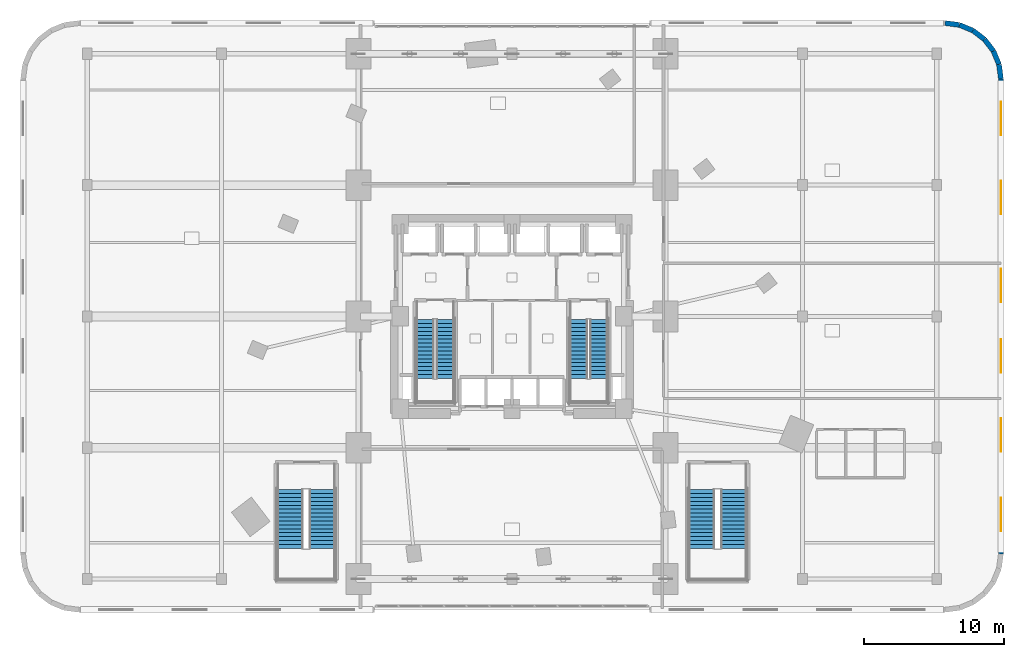
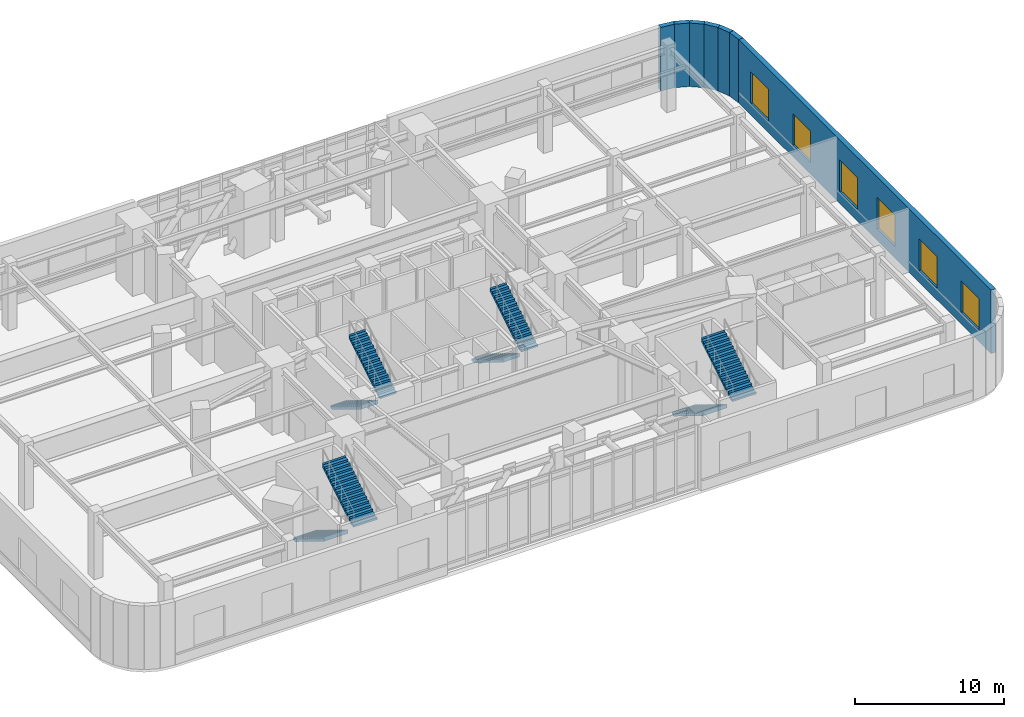
# One storey, part 16 of 19: 8 stair flights, 7 walls, 6 windows, 6 openings, 4 elements without a shape of their own.
"""IFC4 building model written with IfcOpenShell, lengths in metres."""

from ifc_helpers import new_model, si_unit, direction, frame, frame_2d, origin, place, context, subcontext, project, spatial, polyline, rectangle, outline, extrude, material, layer, layer_set, type_object, element, fill, aggregate, save


model = new_model("IFC4")

# Units and contexts
model_context = context("Model", 3, precision=1e-05, world=origin(), true_north=direction((0.0, 1.0)))
body_context = subcontext(model_context, "Body", "Model", "MODEL_VIEW")
ifc_project = project(units=[si_unit("LENGTHUNIT", "METRE"), si_unit("AREAUNIT", "SQUARE_METRE"), si_unit("VOLUMEUNIT", "CUBIC_METRE"), si_unit("PLANEANGLEUNIT", "RADIAN"), si_unit("MASSUNIT", "GRAM", prefix="KILO")], contexts=[model_context])

# Site, building, storey
site_placement = place(None, origin())
site = spatial("IfcSite", under=ifc_project, at=site_placement, CompositionType="ELEMENT")
building_placement = place(site_placement, origin())
building = spatial("IfcBuilding", under=site, at=building_placement, Name="Ndelora Gate Hotel", CompositionType="ELEMENT")
storey_placement = place(building_placement, frame((0.0, 0.0, 16.0)))
storey = spatial("IfcBuildingStorey", under=building, at=storey_placement, Name="L03", CompositionType="ELEMENT", Elevation=16.0)

# Wall, openings, windows
ifc_material_1 = material(Name="Clay Brick Masonry", Category="masonry")
ifc_layer = layer(ifc_material_1, 0.360107421875)
ifc_layer_set = layer_set([ifc_layer], Name="Clay Brick Masonry")
wall_type = type_object("IfcWallType", Name="WL-BRICK-360", PredefinedType="SOLIDWALL", material=ifc_layer_set)
wall_1_placement = place(storey_placement, frame((35.0, 17.0, 0.0), z_axis=(0.0, 0.0, 1.0), x_axis=(0.0, -1.0, 0.0)))
wall_1 = element("IfcWall", 1, at=wall_1_placement, inside=storey, type_object=wall_type, Name="L03 Exterior Brick Pier-and-Spandrel Wall 7", PredefinedType="SOLIDWALL", context=body_context, shape_type="SweptSolid", body=[
    extrude(rectangle(XDim=34.0, YDim=0.360107421875, at=frame_2d((17.0, 0.0))), origin(), (0.0, 0.0, 1.0), 5.219970703125),
])
opening_1_placement = place(wall_1_placement, frame((1.63330078125, 0.0, 0.949951171875)))
opening_1 = element("IfcOpeningElement", 2, at=opening_1_placement, cuts=wall_1, Name="Opening W04", PredefinedType="OPENING", context=body_context, shape_type="SweptSolid", body=[
    extrude(rectangle(XDim=2.39990234375, YDim=2.60009765625, at=frame_2d((1.199951171875, 1.300048828125))), frame((0.0, 0.18994140625, 0.0), z_axis=(0.0, -1.0, 0.0), x_axis=(1.0, 0.0, 0.0)), (0.0, 0.0, 1.0), 0.380126953125),
])
opening_2_placement = place(wall_1_placement, frame((7.300048828125, 0.0, 0.949951171875)))
opening_2 = element("IfcOpeningElement", 3, at=opening_2_placement, cuts=wall_1, Name="Opening W04", PredefinedType="OPENING", context=body_context, shape_type="SweptSolid", body=[
    extrude(rectangle(XDim=2.39990234375, YDim=2.60009765625, at=frame_2d((1.199951171875, 1.300048828125))), frame((0.0, 0.18994140625, 0.0), z_axis=(0.0, -1.0, 0.0), x_axis=(1.0, 0.0, 0.0)), (0.0, 0.0, 1.0), 0.380126953125),
])
opening_3_placement = place(wall_1_placement, frame((13.60009765625, 0.0, 0.949951171875)))
opening_3 = element("IfcOpeningElement", 4, at=opening_3_placement, cuts=wall_1, Name="Opening W04", PredefinedType="OPENING", context=body_context, shape_type="SweptSolid", body=[
    extrude(rectangle(XDim=2.39990234375, YDim=2.60009765625, at=frame_2d((1.199951171875, 1.300048828125))), frame((0.0, 0.18994140625, 0.0), z_axis=(0.0, -1.0, 0.0), x_axis=(1.0, 0.0, 0.0)), (0.0, 0.0, 1.0), 0.380126953125),
])
opening_4_placement = place(wall_1_placement, frame((18.63330078125, 0.0, 0.949951171875)))
opening_4 = element("IfcOpeningElement", 5, at=opening_4_placement, cuts=wall_1, Name="Opening W04", PredefinedType="OPENING", context=body_context, shape_type="SweptSolid", body=[
    extrude(rectangle(XDim=2.39990234375, YDim=2.60009765625, at=frame_2d((1.199951171875, 1.300048828125))), frame((0.0, 0.18994140625, 0.0), z_axis=(0.0, -1.0, 0.0), x_axis=(1.0, 0.0, 0.0)), (0.0, 0.0, 1.0), 0.380126953125),
])
opening_5_placement = place(wall_1_placement, frame((24.300048828125, 0.0, 0.949951171875)))
opening_5 = element("IfcOpeningElement", 6, at=opening_5_placement, cuts=wall_1, Name="Opening W04", PredefinedType="OPENING", context=body_context, shape_type="SweptSolid", body=[
    extrude(rectangle(XDim=2.39990234375, YDim=2.60009765625, at=frame_2d((1.199951171875, 1.300048828125))), frame((0.0, 0.18994140625, 0.0), z_axis=(0.0, -1.0, 0.0), x_axis=(1.0, 0.0, 0.0)), (0.0, 0.0, 1.0), 0.380126953125),
])
opening_6_placement = place(wall_1_placement, frame((29.966796875, 0.0, 0.949951171875)))
opening_6 = element("IfcOpeningElement", 7, at=opening_6_placement, cuts=wall_1, Name="Opening W04", PredefinedType="OPENING", context=body_context, shape_type="SweptSolid", body=[
    extrude(rectangle(XDim=2.39990234375, YDim=2.60009765625, at=frame_2d((1.199951171875, 1.300048828125))), frame((0.0, 0.18994140625, 0.0), z_axis=(0.0, -1.0, 0.0), x_axis=(1.0, 0.0, 0.0)), (0.0, 0.0, 1.0), 0.380126953125),
])
ifc_material_2 = material(Name="Insulated Low-E Double Glazing in Bronze Aluminium Frame", Category="aluminium")
window_type = type_object("IfcWindowType", Name="WN-POD-2400", PartitioningType="SINGLE_PANEL", PredefinedType="WINDOW", material=ifc_material_2)
window_1_placement = place(opening_1_placement, origin())
window_1 = element("IfcWindow", 8, at=window_1_placement, inside=storey, type_object=window_type, Name="L03 Deep-Set Podium Brick-Frame Window W04", OverallHeight=2.60009765625, OverallWidth=2.39990234375, PartitioningType="SINGLE_PANEL", PredefinedType="WINDOW", context=body_context, shape_type="SweptSolid", body=[
    extrude(rectangle(XDim=2.39990234375, YDim=2.60009765625, at=frame_2d((1.199951171875, 1.300048828125))), frame((0.0, 0.030029296875, 0.0), z_axis=(0.0, -1.0, 0.0), x_axis=(1.0, 0.0, 0.0)), (0.0, 0.0, 1.0), 0.06005859375),
])
fill(opening_1, window_1)
window_2_placement = place(opening_2_placement, origin())
window_2 = element("IfcWindow", 9, at=window_2_placement, inside=storey, type_object=window_type, Name="L03 Deep-Set Podium Brick-Frame Window W04", OverallHeight=2.60009765625, OverallWidth=2.39990234375, PartitioningType="SINGLE_PANEL", PredefinedType="WINDOW", context=body_context, shape_type="SweptSolid", body=[
    extrude(rectangle(XDim=2.39990234375, YDim=2.60009765625, at=frame_2d((1.199951171875, 1.300048828125))), frame((0.0, 0.030029296875, 0.0), z_axis=(0.0, -1.0, 0.0), x_axis=(1.0, 0.0, 0.0)), (0.0, 0.0, 1.0), 0.06005859375),
])
fill(opening_2, window_2)
window_3_placement = place(opening_3_placement, origin())
window_3 = element("IfcWindow", 10, at=window_3_placement, inside=storey, type_object=window_type, Name="L03 Deep-Set Podium Brick-Frame Window W04", OverallHeight=2.60009765625, OverallWidth=2.39990234375, PartitioningType="SINGLE_PANEL", PredefinedType="WINDOW", context=body_context, shape_type="SweptSolid", body=[
    extrude(rectangle(XDim=2.39990234375, YDim=2.60009765625, at=frame_2d((1.199951171875, 1.300048828125))), frame((0.0, 0.030029296875, 0.0), z_axis=(0.0, -1.0, 0.0), x_axis=(1.0, 0.0, 0.0)), (0.0, 0.0, 1.0), 0.06005859375),
])
fill(opening_3, window_3)
window_4_placement = place(opening_4_placement, origin())
window_4 = element("IfcWindow", 11, at=window_4_placement, inside=storey, type_object=window_type, Name="L03 Deep-Set Podium Brick-Frame Window W04", OverallHeight=2.60009765625, OverallWidth=2.39990234375, PartitioningType="SINGLE_PANEL", PredefinedType="WINDOW", context=body_context, shape_type="SweptSolid", body=[
    extrude(rectangle(XDim=2.39990234375, YDim=2.60009765625, at=frame_2d((1.199951171875, 1.300048828125))), frame((0.0, 0.030029296875, 0.0), z_axis=(0.0, -1.0, 0.0), x_axis=(1.0, 0.0, 0.0)), (0.0, 0.0, 1.0), 0.06005859375),
])
fill(opening_4, window_4)
window_5_placement = place(opening_5_placement, origin())
window_5 = element("IfcWindow", 12, at=window_5_placement, inside=storey, type_object=window_type, Name="L03 Deep-Set Podium Brick-Frame Window W04", OverallHeight=2.60009765625, OverallWidth=2.39990234375, PartitioningType="SINGLE_PANEL", PredefinedType="WINDOW", context=body_context, shape_type="SweptSolid", body=[
    extrude(rectangle(XDim=2.39990234375, YDim=2.60009765625, at=frame_2d((1.199951171875, 1.300048828125))), frame((0.0, 0.030029296875, 0.0), z_axis=(0.0, -1.0, 0.0), x_axis=(1.0, 0.0, 0.0)), (0.0, 0.0, 1.0), 0.06005859375),
])
fill(opening_5, window_5)
window_6_placement = place(opening_6_placement, origin())
window_6 = element("IfcWindow", 13, at=window_6_placement, inside=storey, type_object=window_type, Name="L03 Deep-Set Podium Brick-Frame Window W04", OverallHeight=2.60009765625, OverallWidth=2.39990234375, PartitioningType="SINGLE_PANEL", PredefinedType="WINDOW", context=body_context, shape_type="SweptSolid", body=[
    extrude(rectangle(XDim=2.39990234375, YDim=2.60009765625, at=frame_2d((1.199951171875, 1.300048828125))), frame((0.0, 0.030029296875, 0.0), z_axis=(0.0, -1.0, 0.0), x_axis=(1.0, 0.0, 0.0)), (0.0, 0.0, 1.0), 0.06005859375),
])
fill(opening_6, window_6)

# Walls
wall_2_placement = place(storey_placement, frame((34.86376953125, 18.035400390625, 0.0), z_axis=(0.0, 0.0, 1.0), x_axis=(0.130448465198, -0.991455091231, 0.0)))
element("IfcWall", 14, at=wall_2_placement, inside=storey, type_object=wall_type, Name="L03 Exterior Brick Pier-and-Spandrel Wall 8", PredefinedType="SOLIDWALL", context=body_context, shape_type="SweptSolid", body=[
    extrude(rectangle(XDim=1.04443359375, YDim=0.360107421875, at=frame_2d((0.522216796875, 0.0))), origin(), (0.0, 0.0, 1.0), 5.219970703125),
])
for number, where, z_axis, x_axis, name in (
    (15, (34.464111328125, 19.0, 0.0), (0.0, 0.0, 1.0), (0.382771688877, -0.923842970528, 0.0), "L03 Exterior Brick Pier-and-Spandrel Wall 9"),
    (16, (33.828369140625, 19.828369140625, 0.0), (0.0, 0.0, 1.0), (0.608829050876, -0.793301447628, 0.0), "L03 Exterior Brick Pier-and-Spandrel Wall 10"),
    (17, (33.0, 20.464111328125, 0.0), (0.0, 0.0, 1.0), (0.793301447628, -0.608829050876, 0.0), "L03 Exterior Brick Pier-and-Spandrel Wall 11"),
    (18, (32.035400390625, 20.86376953125, 0.0), (0.0, 0.0, 1.0), (0.923842970528, -0.382771688877, 0.0), "L03 Exterior Brick Pier-and-Spandrel Wall 12"),
):
    element("IfcWall", number, at=place(storey_placement, frame(where, z_axis=z_axis, x_axis=x_axis)), inside=storey, type_object=wall_type, Name=name, PredefinedType="SOLIDWALL", context=body_context, shape_type="SweptSolid", body=[
        extrude(rectangle(XDim=1.044189453125, YDim=0.360107421875, at=frame_2d((0.52197265625, 0.0))), origin(), (0.0, 0.0, 1.0), 5.219970703125),
    ])
wall_3_placement = place(storey_placement, frame((31.0, 21.0, 0.0), z_axis=(0.0, 0.0, 1.0), x_axis=(0.991455091231, -0.130448465198, 0.0)))
element("IfcWall", 19, at=wall_3_placement, inside=storey, type_object=wall_type, Name="L03 Exterior Brick Pier-and-Spandrel Wall 13", PredefinedType="SOLIDWALL", context=body_context, shape_type="SweptSolid", body=[
    extrude(rectangle(XDim=1.04443359375, YDim=0.360107421875, at=frame_2d((0.522216796875, 0.0))), origin(), (0.0, 0.0, 1.0), 5.219970703125),
])

# Stair, stair flights
ifc_material_3 = material(Name="Precast concrete C40/50", Category="concrete")
stair_type_1 = type_object("IfcStairType", Name="STR-DOG-CORE", PredefinedType="HALF_TURN_STAIR", material=ifc_material_3)
stair_1_placement = place(storey_placement, origin())
stair_1 = element("IfcStair", 20, at=stair_1_placement, inside=storey, type_object=stair_type_1, Name="L03 Protected Core Exit Stair ST4", PredefinedType="HALF_TURN_STAIR")
stair_flight_type_1 = type_object("IfcStairFlightType", Name="STF-PRECAST", PredefinedType="STRAIGHT", material=ifc_material_3)
stair_flight_1_placement = place(storey_placement, frame((-6.2099609375, -0.22998046875, 0.0), z_axis=(0.0, 0.0, 1.0), x_axis=(0.0, -1.0, 0.0)))
stair_flight_1 = element("IfcStairFlight", 21, at=stair_flight_1_placement, type_object=stair_flight_type_1, Name="ST4 flight 1", NumberOfRisers=16, NumberOfTreads=15, PredefinedType="STRAIGHT", RiserHeight=0.171875, TreadLength=0.28, context=body_context, shape_type="SweptSolid", body=[
    extrude(outline(polyline([(-0.00048828125, 0.0), (-0.00048828125, 0.171875), (0.0, 0.171875), (0.280029296875, 0.171875), (0.280029296875, 0.34375), (0.56005859375, 0.34375), (0.56005859375, 0.515625), (0.840087890625, 0.515625), (0.840087890625, 0.6875), (1.1201171875, 0.6875), (1.1201171875, 0.859375), (1.39990234375, 0.859375), (1.39990234375, 1.03125), (1.679931640625, 1.03125), (1.679931640625, 1.203125), (1.9599609375, 1.203125), (1.9599609375, 1.375), (2.239990234375, 1.375), (2.239990234375, 1.546875), (2.52001953125, 1.546875), (2.52001953125, 1.71875), (2.800048828125, 1.71875), (2.800048828125, 1.890625), (3.080078125, 1.890625), (3.080078125, 2.0625), (3.360107421875, 2.0625), (3.360107421875, 2.234375), (3.639892578125, 2.234375), (3.639892578125, 2.40625), (3.919921875, 2.40625), (3.919921875, 2.578125), (4.199951171875, 2.578125), (4.199951171875, 2.75), (4.20068359375, 2.75), (4.20068359375, 2.570068359375), (4.199951171875, 2.40234375), (0.28662109375, 0.0), (-0.00048828125, 0.0)])), frame((0.0, 0.64013671875, 0.0), z_axis=(0.0, -1.0, 0.0), x_axis=(1.0, 0.0, 0.0)), (0.0, 0.0, 1.0), 1.280029296875),
])
stair_flight_2_placement = place(storey_placement, frame((-4.77001953125, -4.429931640625, 2.75), z_axis=(0.0, 0.0, 1.0), x_axis=(0.0, 1.0, 0.0)))
stair_flight_2 = element("IfcStairFlight", 22, at=stair_flight_2_placement, type_object=stair_flight_type_1, Name="ST4 flight 2", NumberOfRisers=16, NumberOfTreads=15, PredefinedType="STRAIGHT", RiserHeight=0.171875, TreadLength=0.28, context=body_context, shape_type="SweptSolid", body=[
    extrude(outline(polyline([(-0.00048828125, 0.0), (-0.00048828125, 0.171875), (0.0, 0.171875), (0.280029296875, 0.171875), (0.280029296875, 0.34375), (0.56005859375, 0.34375), (0.56005859375, 0.515625), (0.840087890625, 0.515625), (0.840087890625, 0.6875), (1.1201171875, 0.6875), (1.1201171875, 0.859375), (1.39990234375, 0.859375), (1.39990234375, 1.03125), (1.679931640625, 1.03125), (1.679931640625, 1.203125), (1.9599609375, 1.203125), (1.9599609375, 1.375), (2.239990234375, 1.375), (2.239990234375, 1.546875), (2.52001953125, 1.546875), (2.52001953125, 1.71875), (2.800048828125, 1.71875), (2.800048828125, 1.890625), (3.080078125, 1.890625), (3.080078125, 2.0625), (3.360107421875, 2.0625), (3.360107421875, 2.234375), (3.639892578125, 2.234375), (3.639892578125, 2.40625), (3.919921875, 2.40625), (3.919921875, 2.578125), (4.199951171875, 2.578125), (4.199951171875, 2.75), (4.20068359375, 2.75), (4.20068359375, 2.570068359375), (4.199951171875, 2.40234375), (0.28662109375, 0.0), (-0.00048828125, 0.0)])), frame((0.0, 0.64013671875, 0.0), z_axis=(0.0, -1.0, 0.0), x_axis=(1.0, 0.0, 0.0)), (0.0, 0.0, 1.0), 1.280029296875),
])
aggregate(stair_1, [stair_flight_1, stair_flight_2])

stair_2_placement = place(storey_placement, origin())
stair_2 = element("IfcStair", 23, at=stair_2_placement, inside=storey, type_object=stair_type_1, Name="L03 Protected Core Exit Stair ST5", PredefinedType="HALF_TURN_STAIR")
stair_flight_3_placement = place(storey_placement, frame((4.77001953125, -0.22998046875, 0.0), z_axis=(0.0, 0.0, 1.0), x_axis=(0.0, -1.0, 0.0)))
stair_flight_3 = element("IfcStairFlight", 24, at=stair_flight_3_placement, type_object=stair_flight_type_1, Name="ST5 flight 1", NumberOfRisers=16, NumberOfTreads=15, PredefinedType="STRAIGHT", RiserHeight=0.171875, TreadLength=0.28, context=body_context, shape_type="SweptSolid", body=[
    extrude(outline(polyline([(-0.00048828125, 0.0), (-0.00048828125, 0.171875), (0.0, 0.171875), (0.280029296875, 0.171875), (0.280029296875, 0.34375), (0.56005859375, 0.34375), (0.56005859375, 0.515625), (0.840087890625, 0.515625), (0.840087890625, 0.6875), (1.1201171875, 0.6875), (1.1201171875, 0.859375), (1.39990234375, 0.859375), (1.39990234375, 1.03125), (1.679931640625, 1.03125), (1.679931640625, 1.203125), (1.9599609375, 1.203125), (1.9599609375, 1.375), (2.239990234375, 1.375), (2.239990234375, 1.546875), (2.52001953125, 1.546875), (2.52001953125, 1.71875), (2.800048828125, 1.71875), (2.800048828125, 1.890625), (3.080078125, 1.890625), (3.080078125, 2.0625), (3.360107421875, 2.0625), (3.360107421875, 2.234375), (3.639892578125, 2.234375), (3.639892578125, 2.40625), (3.919921875, 2.40625), (3.919921875, 2.578125), (4.199951171875, 2.578125), (4.199951171875, 2.75), (4.20068359375, 2.75), (4.20068359375, 2.570068359375), (4.199951171875, 2.40234375), (0.28662109375, 0.0), (-0.00048828125, 0.0)])), frame((0.0, 0.64013671875, 0.0), z_axis=(0.0, -1.0, 0.0), x_axis=(1.0, 0.0, 0.0)), (0.0, 0.0, 1.0), 1.280029296875),
])
stair_flight_4_placement = place(storey_placement, frame((6.2099609375, -4.429931640625, 2.75), z_axis=(0.0, 0.0, 1.0), x_axis=(0.0, 1.0, 0.0)))
stair_flight_4 = element("IfcStairFlight", 25, at=stair_flight_4_placement, type_object=stair_flight_type_1, Name="ST5 flight 2", NumberOfRisers=16, NumberOfTreads=15, PredefinedType="STRAIGHT", RiserHeight=0.171875, TreadLength=0.28, context=body_context, shape_type="SweptSolid", body=[
    extrude(outline(polyline([(-0.00048828125, 0.0), (-0.00048828125, 0.171875), (0.0, 0.171875), (0.280029296875, 0.171875), (0.280029296875, 0.34375), (0.56005859375, 0.34375), (0.56005859375, 0.515625), (0.840087890625, 0.515625), (0.840087890625, 0.6875), (1.1201171875, 0.6875), (1.1201171875, 0.859375), (1.39990234375, 0.859375), (1.39990234375, 1.03125), (1.679931640625, 1.03125), (1.679931640625, 1.203125), (1.9599609375, 1.203125), (1.9599609375, 1.375), (2.239990234375, 1.375), (2.239990234375, 1.546875), (2.52001953125, 1.546875), (2.52001953125, 1.71875), (2.800048828125, 1.71875), (2.800048828125, 1.890625), (3.080078125, 1.890625), (3.080078125, 2.0625), (3.360107421875, 2.0625), (3.360107421875, 2.234375), (3.639892578125, 2.234375), (3.639892578125, 2.40625), (3.919921875, 2.40625), (3.919921875, 2.578125), (4.199951171875, 2.578125), (4.199951171875, 2.75), (4.20068359375, 2.75), (4.20068359375, 2.570068359375), (4.199951171875, 2.40234375), (0.28662109375, 0.0), (-0.00048828125, 0.0)])), frame((0.0, 0.64013671875, 0.0), z_axis=(0.0, -1.0, 0.0), x_axis=(1.0, 0.0, 0.0)), (0.0, 0.0, 1.0), 1.280029296875),
])
aggregate(stair_2, [stair_flight_3, stair_flight_4])

stair_type_2 = type_object("IfcStairType", Name="STR-DOG-POD", PredefinedType="HALF_TURN_STAIR", material=ifc_material_3)
stair_3_placement = place(storey_placement, origin())
stair_3 = element("IfcStair", 26, at=stair_3_placement, inside=storey, type_object=stair_type_2, Name="L03 Podium Ballroom Exit Stair ST3A", PredefinedType="HALF_TURN_STAIR")
stair_flight_type_2 = type_object("IfcStairFlightType", Name="STF-PRECAST-WIDE", PredefinedType="STRAIGHT", material=ifc_material_3)
stair_flight_5_placement = place(storey_placement, frame((-15.875, -12.39990234375, 0.0), z_axis=(0.0, 0.0, 1.0), x_axis=(0.0, -1.0, 0.0)))
stair_flight_5 = element("IfcStairFlight", 27, at=stair_flight_5_placement, type_object=stair_flight_type_2, Name="ST3A flight 1", NumberOfRisers=16, NumberOfTreads=15, PredefinedType="STRAIGHT", RiserHeight=0.171875, TreadLength=0.28, context=body_context, shape_type="SweptSolid", body=[
    extrude(outline(polyline([(-0.00048828125, 0.0), (-0.00048828125, 0.171875), (0.0, 0.171875), (0.280029296875, 0.171875), (0.280029296875, 0.34375), (0.56005859375, 0.34375), (0.56005859375, 0.515625), (0.840087890625, 0.515625), (0.840087890625, 0.6875), (1.1201171875, 0.6875), (1.1201171875, 0.859375), (1.39990234375, 0.859375), (1.39990234375, 1.03125), (1.679931640625, 1.03125), (1.679931640625, 1.203125), (1.9599609375, 1.203125), (1.9599609375, 1.375), (2.239990234375, 1.375), (2.239990234375, 1.546875), (2.52001953125, 1.546875), (2.52001953125, 1.71875), (2.800048828125, 1.71875), (2.800048828125, 1.890625), (3.080078125, 1.890625), (3.080078125, 2.0625), (3.360107421875, 2.0625), (3.360107421875, 2.234375), (3.639892578125, 2.234375), (3.639892578125, 2.40625), (3.919921875, 2.40625), (3.919921875, 2.578125), (4.199951171875, 2.578125), (4.199951171875, 2.75), (4.20068359375, 2.75), (4.20068359375, 2.570068359375), (4.199951171875, 2.40234375), (0.28662109375, 0.0), (-0.00048828125, 0.0)])), frame((0.0, 0.925048828125, 0.0), z_axis=(0.0, -1.0, 0.0), x_axis=(1.0, 0.0, 0.0)), (0.0, 0.0, 1.0), 1.85009765625),
])
stair_flight_6_placement = place(storey_placement, frame((-13.5849609375, -16.60009765625, 2.75), z_axis=(0.0, 0.0, 1.0), x_axis=(0.0, 1.0, 0.0)))
stair_flight_6 = element("IfcStairFlight", 28, at=stair_flight_6_placement, type_object=stair_flight_type_2, Name="ST3A flight 2", NumberOfRisers=16, NumberOfTreads=15, PredefinedType="STRAIGHT", RiserHeight=0.171875, TreadLength=0.28, context=body_context, shape_type="SweptSolid", body=[
    extrude(outline(polyline([(-0.00048828125, 0.0), (-0.00048828125, 0.171875), (0.0, 0.171875), (0.280029296875, 0.171875), (0.280029296875, 0.34375), (0.56005859375, 0.34375), (0.56005859375, 0.515625), (0.840087890625, 0.515625), (0.840087890625, 0.6875), (1.1201171875, 0.6875), (1.1201171875, 0.859375), (1.39990234375, 0.859375), (1.39990234375, 1.03125), (1.679931640625, 1.03125), (1.679931640625, 1.203125), (1.9599609375, 1.203125), (1.9599609375, 1.375), (2.239990234375, 1.375), (2.239990234375, 1.546875), (2.52001953125, 1.546875), (2.52001953125, 1.71875), (2.800048828125, 1.71875), (2.800048828125, 1.890625), (3.080078125, 1.890625), (3.080078125, 2.0625), (3.360107421875, 2.0625), (3.360107421875, 2.234375), (3.639892578125, 2.234375), (3.639892578125, 2.40625), (3.919921875, 2.40625), (3.919921875, 2.578125), (4.199951171875, 2.578125), (4.199951171875, 2.75), (4.20068359375, 2.75), (4.20068359375, 2.570068359375), (4.199951171875, 2.40234375), (0.28662109375, 0.0), (-0.00048828125, 0.0)])), frame((0.0, 0.925048828125, 0.0), z_axis=(0.0, -1.0, 0.0), x_axis=(1.0, 0.0, 0.0)), (0.0, 0.0, 1.0), 1.85009765625),
])
aggregate(stair_3, [stair_flight_5, stair_flight_6])

stair_4_placement = place(storey_placement, origin())
stair_4 = element("IfcStair", 29, at=stair_4_placement, inside=storey, type_object=stair_type_2, Name="L03 Podium Conference Exit Stair ST3B", PredefinedType="HALF_TURN_STAIR")
stair_flight_7_placement = place(storey_placement, frame((13.5849609375, -12.39990234375, 0.0), z_axis=(0.0, 0.0, 1.0), x_axis=(0.0, -1.0, 0.0)))
stair_flight_7 = element("IfcStairFlight", 30, at=stair_flight_7_placement, type_object=stair_flight_type_2, Name="ST3B flight 1", NumberOfRisers=16, NumberOfTreads=15, PredefinedType="STRAIGHT", RiserHeight=0.171875, TreadLength=0.28, context=body_context, shape_type="SweptSolid", body=[
    extrude(outline(polyline([(-0.00048828125, 0.0), (-0.00048828125, 0.171875), (0.0, 0.171875), (0.280029296875, 0.171875), (0.280029296875, 0.34375), (0.56005859375, 0.34375), (0.56005859375, 0.515625), (0.840087890625, 0.515625), (0.840087890625, 0.6875), (1.1201171875, 0.6875), (1.1201171875, 0.859375), (1.39990234375, 0.859375), (1.39990234375, 1.03125), (1.679931640625, 1.03125), (1.679931640625, 1.203125), (1.9599609375, 1.203125), (1.9599609375, 1.375), (2.239990234375, 1.375), (2.239990234375, 1.546875), (2.52001953125, 1.546875), (2.52001953125, 1.71875), (2.800048828125, 1.71875), (2.800048828125, 1.890625), (3.080078125, 1.890625), (3.080078125, 2.0625), (3.360107421875, 2.0625), (3.360107421875, 2.234375), (3.639892578125, 2.234375), (3.639892578125, 2.40625), (3.919921875, 2.40625), (3.919921875, 2.578125), (4.199951171875, 2.578125), (4.199951171875, 2.75), (4.20068359375, 2.75), (4.20068359375, 2.570068359375), (4.199951171875, 2.40234375), (0.28662109375, 0.0), (-0.00048828125, 0.0)])), frame((0.0, 0.925048828125, 0.0), z_axis=(0.0, -1.0, 0.0), x_axis=(1.0, 0.0, 0.0)), (0.0, 0.0, 1.0), 1.85009765625),
])
stair_flight_8_placement = place(storey_placement, frame((15.875, -16.60009765625, 2.75), z_axis=(0.0, 0.0, 1.0), x_axis=(0.0, 1.0, 0.0)))
stair_flight_8 = element("IfcStairFlight", 31, at=stair_flight_8_placement, type_object=stair_flight_type_2, Name="ST3B flight 2", NumberOfRisers=16, NumberOfTreads=15, PredefinedType="STRAIGHT", RiserHeight=0.171875, TreadLength=0.28, context=body_context, shape_type="SweptSolid", body=[
    extrude(outline(polyline([(-0.00048828125, 0.0), (-0.00048828125, 0.171875), (0.0, 0.171875), (0.280029296875, 0.171875), (0.280029296875, 0.34375), (0.56005859375, 0.34375), (0.56005859375, 0.515625), (0.840087890625, 0.515625), (0.840087890625, 0.6875), (1.1201171875, 0.6875), (1.1201171875, 0.859375), (1.39990234375, 0.859375), (1.39990234375, 1.03125), (1.679931640625, 1.03125), (1.679931640625, 1.203125), (1.9599609375, 1.203125), (1.9599609375, 1.375), (2.239990234375, 1.375), (2.239990234375, 1.546875), (2.52001953125, 1.546875), (2.52001953125, 1.71875), (2.800048828125, 1.71875), (2.800048828125, 1.890625), (3.080078125, 1.890625), (3.080078125, 2.0625), (3.360107421875, 2.0625), (3.360107421875, 2.234375), (3.639892578125, 2.234375), (3.639892578125, 2.40625), (3.919921875, 2.40625), (3.919921875, 2.578125), (4.199951171875, 2.578125), (4.199951171875, 2.75), (4.20068359375, 2.75), (4.20068359375, 2.570068359375), (4.199951171875, 2.40234375), (0.28662109375, 0.0), (-0.00048828125, 0.0)])), frame((0.0, 0.925048828125, 0.0), z_axis=(0.0, -1.0, 0.0), x_axis=(1.0, 0.0, 0.0)), (0.0, 0.0, 1.0), 1.85009765625),
])
aggregate(stair_4, [stair_flight_7, stair_flight_8])

save(model, "model.ifc")
